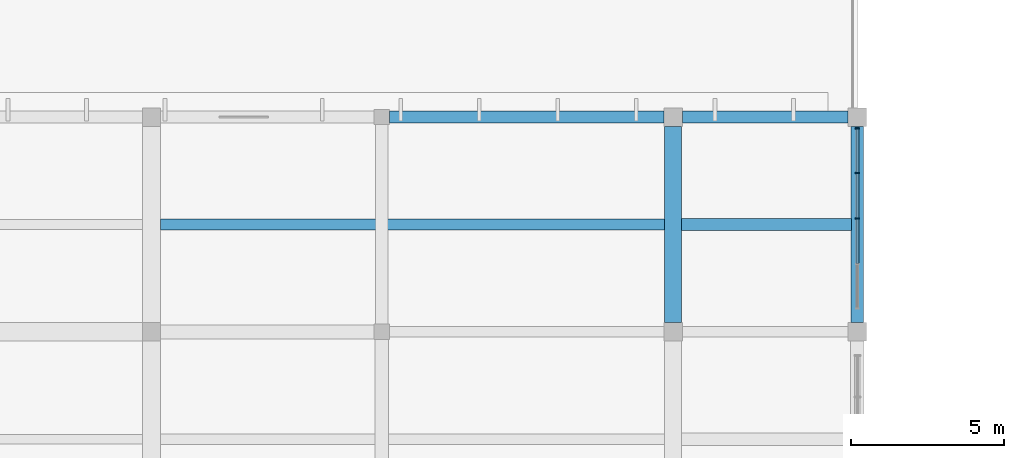
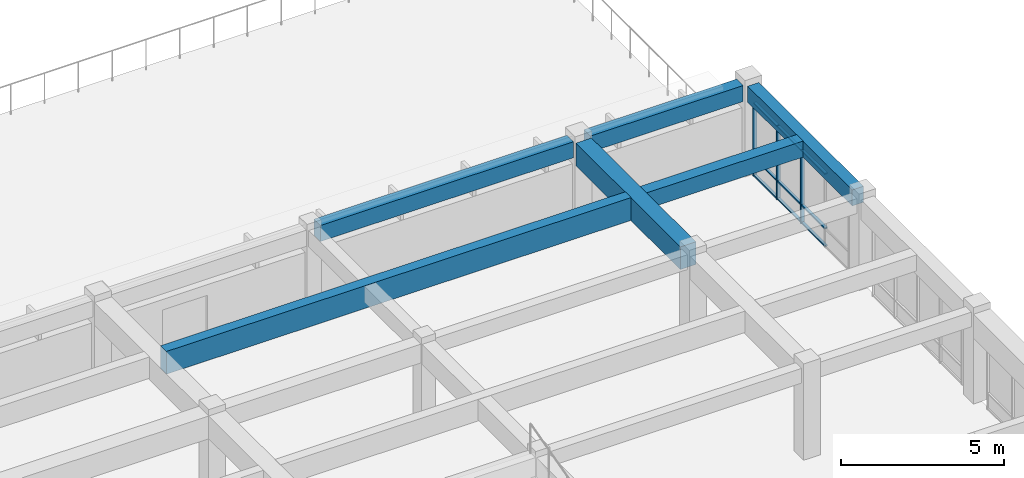
# One storey, part 15 of 33: 12 members, 6 beams, 1 element without a shape of its own.
"""IFC4 building model written with IfcOpenShell, lengths in metres."""

from ifc_helpers import new_model, si_unit, direction, frame, origin, origin_2d, place, context, subcontext, project, spatial, rectangle, extrude, material, material_profile, profile_set, type_object, element, aggregate, save


model = new_model("IFC4")

# Units and contexts
model_context = context("Model", 3, precision=1e-05, world=origin(), true_north=direction((0.0, 1.0)))
body_context = subcontext(model_context, "Body", "Model", "MODEL_VIEW")
ifc_project = project(units=[si_unit("LENGTHUNIT", "METRE"), si_unit("AREAUNIT", "SQUARE_METRE"), si_unit("VOLUMEUNIT", "CUBIC_METRE"), si_unit("PLANEANGLEUNIT", "RADIAN"), si_unit("MASSUNIT", "GRAM", prefix="KILO")], contexts=[model_context])

# Site, building, storey
site_placement = place(None, origin())
site = spatial("IfcSite", under=ifc_project, at=site_placement, CompositionType="ELEMENT")
building_placement = place(site_placement, origin())
building = spatial("IfcBuilding", under=site, at=building_placement, Name="Larkveld Mobility Hub", CompositionType="ELEMENT")
storey_placement = place(building_placement, frame((0.0, 0.0, 15.60009765625)))
storey = spatial("IfcBuildingStorey", under=building, at=storey_placement, Name="L04", CompositionType="ELEMENT", Elevation=15.60009765625)

# Beams
ifc_material_1 = material(Name="Precast concrete C50/60", Category="concrete")
ifc_material_profile_1 = material_profile(ifc_material_1, rectangle(XDim=0.360107421875, YDim=0.85009765625, at=origin_2d()), Name="PC DT 360x850")
ifc_profile_set_1 = profile_set([ifc_material_profile_1], Name="Precast concrete C50/60")
beam_type_1 = type_object("IfcBeamType", Name="BM-DT3685", PredefinedType="T_BEAM", material=ifc_profile_set_1)
beam_1_placement = place(storey_placement, frame((129.294921875, 80.5, 2.94482421875), z_axis=(1.0, 0.0, 0.0), x_axis=(0.0, 1.0, 0.0)))
element("IfcBeam", 1, at=beam_1_placement, inside=storey, type_object=beam_type_1, Name="Precast Double-Tee Stem L04-1143", PredefinedType="T_BEAM", context=body_context, shape_type="SweptSolid", body=[
    extrude(rectangle(XDim=0.360107421875, YDim=0.85009765625, at=origin_2d()), origin(), (0.0, 0.0, 1.0), 16.43505859375),
])
ifc_material_2 = material(Name="Concrete C40/50", Category="concrete")
ifc_material_profile_2 = material_profile(ifc_material_2, rectangle(XDim=0.39990234375, YDim=0.60009765625, at=origin_2d()), Name="RC BM 400x600")
ifc_profile_set_2 = profile_set([ifc_material_profile_2], Name="Concrete C40/50")
beam_type_2 = type_object("IfcBeamType", Name="BM-RC4060", PredefinedType="BEAM", material=ifc_profile_set_2)
beam_2_placement = place(storey_placement, frame((136.75, 84.0, 3.059814453125), z_axis=(1.0, 0.0, 0.0), x_axis=(0.0, 1.0, 0.0)))
element("IfcBeam", 2, at=beam_2_placement, inside=storey, type_object=beam_type_2, Name="Primary E-W Girder L04-0894", PredefinedType="BEAM", context=body_context, shape_type="SweptSolid", body=[
    extrude(rectangle(XDim=0.39990234375, YDim=0.60009765625, at=origin_2d()), origin(), (0.0, 0.0, 1.0), 8.949951171875),
])
beam_3_placement = place(storey_placement, frame((146.300048828125, 84.0, 3.059814453125), z_axis=(1.0, 0.0, 0.0), x_axis=(0.0, 1.0, 0.0)))
element("IfcBeam", 3, at=beam_3_placement, inside=storey, type_object=beam_type_2, Name="Primary E-W Girder L04-0895", PredefinedType="BEAM", context=body_context, shape_type="SweptSolid", body=[
    extrude(rectangle(XDim=0.39990234375, YDim=0.60009765625, at=origin_2d()), origin(), (0.0, 0.0, 1.0), 5.39990234375),
])
beam_4_placement = place(storey_placement, frame((152.0, 77.300048828125, 3.059814453125), z_axis=(0.0, 1.0, 0.0), x_axis=(-1.0, 0.0, 0.0)))
element("IfcBeam", 4, at=beam_4_placement, inside=storey, type_object=beam_type_2, Name="Primary N-S Girder L04-0940", PredefinedType="BEAM", context=body_context, shape_type="SweptSolid", body=[
    extrude(rectangle(XDim=0.39990234375, YDim=0.60009765625, at=origin_2d()), origin(), (0.0, 0.0, 1.0), 6.39990234375),
])
beam_5_placement = place(storey_placement, frame((146.27001953125, 80.5, 3.06982421875), z_axis=(1.0, 0.0, 0.0), x_axis=(0.0, 1.0, 0.0)))
element("IfcBeam", 5, at=beam_5_placement, inside=storey, type_object=beam_type_2, Name="Concourse Spine Joist L04-1144", PredefinedType="BEAM", context=body_context, shape_type="SweptSolid", body=[
    extrude(rectangle(XDim=0.39990234375, YDim=0.60009765625, at=origin_2d()), origin(), (0.0, 0.0, 1.0), 5.534912109375),
])
ifc_material_profile_3 = material_profile(ifc_material_2, rectangle(XDim=0.550048828125, YDim=0.85009765625, at=origin_2d()), Name="RC BM 550x850")
ifc_profile_set_3 = profile_set([ifc_material_profile_3], Name="Concrete C40/50")
beam_type_3 = type_object("IfcBeamType", Name="BM-RC5585", PredefinedType="BEAM", material=ifc_profile_set_3)
beam_6_placement = place(storey_placement, frame((146.0, 77.300048828125, 2.934814453125), z_axis=(0.0, 1.0, 0.0), x_axis=(-1.0, 0.0, 0.0)))
element("IfcBeam", 6, at=beam_6_placement, inside=storey, type_object=beam_type_3, Name="Primary N-S Girder L04-0929", PredefinedType="BEAM", context=body_context, shape_type="SweptSolid", body=[
    extrude(rectangle(XDim=0.550048828125, YDim=0.85009765625, at=origin_2d()), origin(), (0.0, 0.0, 1.0), 6.39990234375),
])

# Curtain wall, members
ifc_material_3 = material(Name="Anodised aluminium 6063-T6", Category="aluminium")
curtain_wall_type = type_object("IfcCurtainWallType", Name="CW-SYS-04", PredefinedType="NOTDEFINED", material=ifc_material_3)
curtain_wall_placement = place(storey_placement, origin())
curtain_wall = element("IfcCurtainWall", 7, at=curtain_wall_placement, inside=storey, type_object=curtain_wall_type, Name="Upper Mobility and Sports East Glazing L04 CW-160", PredefinedType="NOTDEFINED")
ifc_material_profile_4 = material_profile(ifc_material_3, rectangle(XDim=0.050048828125, YDim=0.1298828125, at=origin_2d()), Name="ALU MULL 50x130")
ifc_profile_set_4 = profile_set([ifc_material_profile_4], Name="Anodised aluminium 6063-T6")
member_type_1 = type_object("IfcMemberType", Name="CW-MUL-04", PredefinedType="MULLION", material=ifc_profile_set_4)
member_1_placement = place(storey_placement, frame((152.0, 80.695068359375, -0.002197265625), z_axis=(0.0, 0.0, 1.0), x_axis=(0.0, 1.0, 0.0)))
member_1 = element("IfcMember", 8, at=member_1_placement, type_object=member_type_1, Name="CW04 mullion 3", PredefinedType="MULLION", context=body_context, shape_type="SweptSolid", body=[
    extrude(rectangle(XDim=0.050048828125, YDim=0.1298828125, at=origin_2d()), origin(), (0.0, 0.0, 1.0), 2.76220703125),
])
member_2_placement = place(storey_placement, frame((152.0, 82.172119140625, -0.002197265625), z_axis=(0.0, 0.0, 1.0), x_axis=(0.0, 1.0, 0.0)))
member_2 = element("IfcMember", 9, at=member_2_placement, type_object=member_type_1, Name="CW04 mullion 4", PredefinedType="MULLION", context=body_context, shape_type="SweptSolid", body=[
    extrude(rectangle(XDim=0.050048828125, YDim=0.1298828125, at=origin_2d()), origin(), (0.0, 0.0, 1.0), 2.76220703125),
])
member_3_placement = place(storey_placement, frame((152.0, 83.625, -0.002197265625), z_axis=(0.0, 0.0, 1.0), x_axis=(0.0, 1.0, 0.0)))
member_3 = element("IfcMember", 10, at=member_3_placement, type_object=member_type_1, Name="CW04 mullion 5", PredefinedType="MULLION", context=body_context, shape_type="SweptSolid", body=[
    extrude(rectangle(XDim=0.050048828125, YDim=0.1298828125, at=origin_2d()), origin(), (0.0, 0.0, 1.0), 2.76220703125),
])
ifc_material_profile_5 = material_profile(ifc_material_3, rectangle(XDim=0.10009765625, YDim=0.050048828125, at=origin_2d()), Name="ALU TRAN 50x100")
ifc_profile_set_5 = profile_set([ifc_material_profile_5], Name="Anodised aluminium 6063-T6")
member_type_2 = type_object("IfcMemberType", Name="CW-TRN-04", PredefinedType="USERDEFINED", material=ifc_profile_set_5)
member_4_placement = place(storey_placement, frame((152.0, 79.23291015625, 0.02978515625), z_axis=(0.0, 1.0, 0.0), x_axis=(-1.0, 0.0, 0.0)))
member_4 = element("IfcMember", 11, at=member_4_placement, type_object=member_type_2, Name="CW04 transom 2.1", ObjectType="TRANSOM", PredefinedType="USERDEFINED", context=body_context, shape_type="SweptSolid", body=[
    extrude(rectangle(XDim=0.10009765625, YDim=0.050048828125, at=origin_2d()), origin(), (0.0, 0.0, 1.0), 1.447021484375),
])
member_5_placement = place(storey_placement, frame((152.0, 79.23291015625, 0.68994140625), z_axis=(0.0, 1.0, 0.0), x_axis=(-1.0, 0.0, 0.0)))
member_5 = element("IfcMember", 12, at=member_5_placement, type_object=member_type_2, Name="CW04 transom 2.2", ObjectType="TRANSOM", PredefinedType="USERDEFINED", context=body_context, shape_type="SweptSolid", body=[
    extrude(rectangle(XDim=0.10009765625, YDim=0.050048828125, at=origin_2d()), origin(), (0.0, 0.0, 1.0), 1.447021484375),
])
member_6_placement = place(storey_placement, frame((152.0, 79.23291015625, 2.727783203125), z_axis=(0.0, 1.0, 0.0), x_axis=(-1.0, 0.0, 0.0)))
member_6 = element("IfcMember", 13, at=member_6_placement, type_object=member_type_2, Name="CW04 transom 2.3", ObjectType="TRANSOM", PredefinedType="USERDEFINED", context=body_context, shape_type="SweptSolid", body=[
    extrude(rectangle(XDim=0.10009765625, YDim=0.050048828125, at=origin_2d()), origin(), (0.0, 0.0, 1.0), 1.447021484375),
])
member_7_placement = place(storey_placement, frame((152.0, 80.7099609375, 0.02978515625), z_axis=(0.0, 1.0, 0.0), x_axis=(-1.0, 0.0, 0.0)))
member_7 = element("IfcMember", 14, at=member_7_placement, type_object=member_type_2, Name="CW04 transom 3.1", ObjectType="TRANSOM", PredefinedType="USERDEFINED", context=body_context, shape_type="SweptSolid", body=[
    extrude(rectangle(XDim=0.10009765625, YDim=0.050048828125, at=origin_2d()), origin(), (0.0, 0.0, 1.0), 1.447021484375),
])
member_8_placement = place(storey_placement, frame((152.0, 80.7099609375, 0.68994140625), z_axis=(0.0, 1.0, 0.0), x_axis=(-1.0, 0.0, 0.0)))
member_8 = element("IfcMember", 15, at=member_8_placement, type_object=member_type_2, Name="CW04 transom 3.2", ObjectType="TRANSOM", PredefinedType="USERDEFINED", context=body_context, shape_type="SweptSolid", body=[
    extrude(rectangle(XDim=0.10009765625, YDim=0.050048828125, at=origin_2d()), origin(), (0.0, 0.0, 1.0), 1.447021484375),
])
member_9_placement = place(storey_placement, frame((152.0, 80.7099609375, 2.727783203125), z_axis=(0.0, 1.0, 0.0), x_axis=(-1.0, 0.0, 0.0)))
member_9 = element("IfcMember", 16, at=member_9_placement, type_object=member_type_2, Name="CW04 transom 3.3", ObjectType="TRANSOM", PredefinedType="USERDEFINED", context=body_context, shape_type="SweptSolid", body=[
    extrude(rectangle(XDim=0.10009765625, YDim=0.050048828125, at=origin_2d()), origin(), (0.0, 0.0, 1.0), 1.447021484375),
])
member_10_placement = place(storey_placement, frame((152.0, 82.18798828125, 0.02978515625), z_axis=(0.0, 1.0, 0.0), x_axis=(-1.0, 0.0, 0.0)))
member_10 = element("IfcMember", 17, at=member_10_placement, type_object=member_type_2, Name="CW04 transom 4.1", ObjectType="TRANSOM", PredefinedType="USERDEFINED", context=body_context, shape_type="SweptSolid", body=[
    extrude(rectangle(XDim=0.10009765625, YDim=0.050048828125, at=origin_2d()), origin(), (0.0, 0.0, 1.0), 1.427001953125),
])
member_11_placement = place(storey_placement, frame((152.0, 82.18798828125, 0.68994140625), z_axis=(0.0, 1.0, 0.0), x_axis=(-1.0, 0.0, 0.0)))
member_11 = element("IfcMember", 18, at=member_11_placement, type_object=member_type_2, Name="CW04 transom 4.2", ObjectType="TRANSOM", PredefinedType="USERDEFINED", context=body_context, shape_type="SweptSolid", body=[
    extrude(rectangle(XDim=0.10009765625, YDim=0.050048828125, at=origin_2d()), origin(), (0.0, 0.0, 1.0), 1.427001953125),
])
member_12_placement = place(storey_placement, frame((152.0, 82.18798828125, 2.727783203125), z_axis=(0.0, 1.0, 0.0), x_axis=(-1.0, 0.0, 0.0)))
member_12 = element("IfcMember", 19, at=member_12_placement, type_object=member_type_2, Name="CW04 transom 4.3", ObjectType="TRANSOM", PredefinedType="USERDEFINED", context=body_context, shape_type="SweptSolid", body=[
    extrude(rectangle(XDim=0.10009765625, YDim=0.050048828125, at=origin_2d()), origin(), (0.0, 0.0, 1.0), 1.427001953125),
])
aggregate(curtain_wall, [member_1, member_2, member_3, member_4, member_5, member_6, member_7, member_8, member_9, member_10, member_11, member_12])

save(model, "model.ifc")
